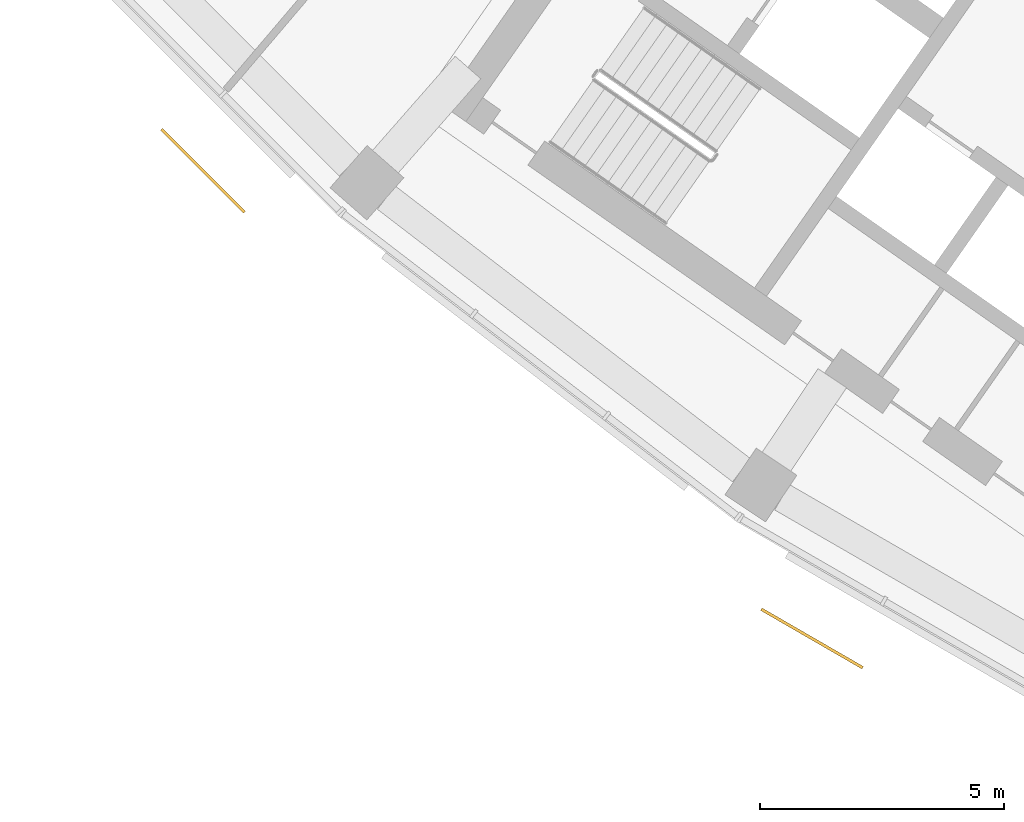
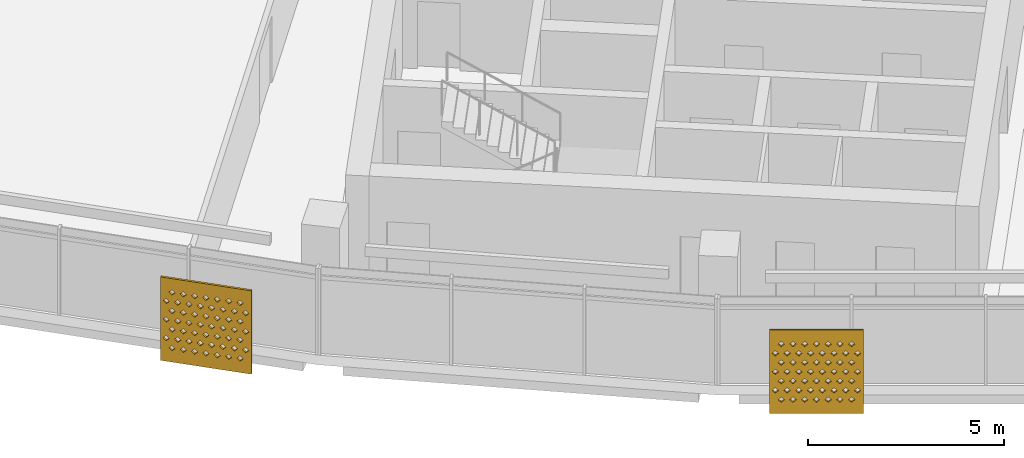
# One storey, part 23 of 28: 2 shading devices.
"""IFC4 building model written with IfcOpenShell, lengths in metres."""

from ifc_helpers import new_model, si_unit, direction, frame, origin, place, context, subcontext, project, spatial, polyline, outline, extrude, material, material_profile, profile_set, type_object, element, save


model = new_model("IFC4")

# Units and contexts
model_context = context("Model", 3, precision=1e-05, world=origin(), true_north=direction((0.0, 1.0)))
body_context = subcontext(model_context, "Body", "Model", "MODEL_VIEW")
ifc_project = project(units=[si_unit("LENGTHUNIT", "METRE"), si_unit("AREAUNIT", "SQUARE_METRE"), si_unit("VOLUMEUNIT", "CUBIC_METRE"), si_unit("PLANEANGLEUNIT", "RADIAN"), si_unit("MASSUNIT", "GRAM", prefix="KILO")], contexts=[model_context])

# Site, building, storey
site_placement = place(None, origin())
site = spatial("IfcSite", under=ifc_project, at=site_placement, CompositionType="ELEMENT")
building_placement = place(site_placement, origin())
building = spatial("IfcBuilding", under=site, at=building_placement, Name="Qamariyya Broadcast Tower", CompositionType="ELEMENT")
storey_placement = place(building_placement, frame((0.0, 0.0, 215.10009765625)))
storey = spatial("IfcBuildingStorey", under=building, at=storey_placement, Name="L51", CompositionType="ELEMENT", Elevation=215.10009765625)

# Shading devices
ifc_material = material(Name="Perforated glazed terracotta", Category="masonry")
ifc_material_profile = material_profile(ifc_material, outline(polyline([(-1.199951171875, -1.300048828125), (1.199951171875, -1.300048828125), (1.199951171875, 1.300048828125), (-1.199951171875, 1.300048828125), (-1.199951171875, -1.300048828125)]), holes=[polyline([(-0.81494140625, -0.86669921875), (-0.89990234375, -0.78173828125), (-0.985107421875, -0.86669921875), (-0.89990234375, -0.95166015625), (-0.81494140625, -0.86669921875)]), polyline([(-0.514892578125, -0.86669921875), (-0.60009765625, -0.78173828125), (-0.68505859375, -0.86669921875), (-0.60009765625, -0.95166015625), (-0.514892578125, -0.86669921875)]), polyline([(-0.215087890625, -0.86669921875), (-0.300048828125, -0.78173828125), (-0.385009765625, -0.86669921875), (-0.300048828125, -0.95166015625), (-0.215087890625, -0.86669921875)]), polyline([(0.0849609375, -0.86669921875), (0.0, -0.78173828125), (-0.0849609375, -0.86669921875), (0.0, -0.95166015625), (0.0849609375, -0.86669921875)]), polyline([(0.385009765625, -0.86669921875), (0.300048828125, -0.78173828125), (0.215087890625, -0.86669921875), (0.300048828125, -0.95166015625), (0.385009765625, -0.86669921875)]), polyline([(0.68505859375, -0.86669921875), (0.60009765625, -0.78173828125), (0.514892578125, -0.86669921875), (0.60009765625, -0.95166015625), (0.68505859375, -0.86669921875)]), polyline([(0.985107421875, -0.86669921875), (0.89990234375, -0.78173828125), (0.81494140625, -0.86669921875), (0.89990234375, -0.95166015625), (0.985107421875, -0.86669921875)]), polyline([(-0.965087890625, -0.577880859375), (-1.050048828125, -0.49267578125), (-1.135009765625, -0.577880859375), (-1.050048828125, -0.662841796875), (-0.965087890625, -0.577880859375)]), polyline([(-0.6650390625, -0.577880859375), (-0.75, -0.49267578125), (-0.8349609375, -0.577880859375), (-0.75, -0.662841796875), (-0.6650390625, -0.577880859375)]), polyline([(-0.364990234375, -0.577880859375), (-0.449951171875, -0.49267578125), (-0.534912109375, -0.577880859375), (-0.449951171875, -0.662841796875), (-0.364990234375, -0.577880859375)]), polyline([(-0.06494140625, -0.577880859375), (-0.14990234375, -0.49267578125), (-0.235107421875, -0.577880859375), (-0.14990234375, -0.662841796875), (-0.06494140625, -0.577880859375)]), polyline([(0.235107421875, -0.577880859375), (0.14990234375, -0.49267578125), (0.06494140625, -0.577880859375), (0.14990234375, -0.662841796875), (0.235107421875, -0.577880859375)]), polyline([(0.534912109375, -0.577880859375), (0.449951171875, -0.49267578125), (0.364990234375, -0.577880859375), (0.449951171875, -0.662841796875), (0.534912109375, -0.577880859375)]), polyline([(0.8349609375, -0.577880859375), (0.75, -0.49267578125), (0.6650390625, -0.577880859375), (0.75, -0.662841796875), (0.8349609375, -0.577880859375)]), polyline([(1.135009765625, -0.577880859375), (1.050048828125, -0.49267578125), (0.965087890625, -0.577880859375), (1.050048828125, -0.662841796875), (1.135009765625, -0.577880859375)]), polyline([(-0.81494140625, -0.288818359375), (-0.89990234375, -0.203857421875), (-0.985107421875, -0.288818359375), (-0.89990234375, -0.373779296875), (-0.81494140625, -0.288818359375)]), polyline([(-0.514892578125, -0.288818359375), (-0.60009765625, -0.203857421875), (-0.68505859375, -0.288818359375), (-0.60009765625, -0.373779296875), (-0.514892578125, -0.288818359375)]), polyline([(-0.215087890625, -0.288818359375), (-0.300048828125, -0.203857421875), (-0.385009765625, -0.288818359375), (-0.300048828125, -0.373779296875), (-0.215087890625, -0.288818359375)]), polyline([(0.0849609375, -0.288818359375), (0.0, -0.203857421875), (-0.0849609375, -0.288818359375), (0.0, -0.373779296875), (0.0849609375, -0.288818359375)]), polyline([(0.385009765625, -0.288818359375), (0.300048828125, -0.203857421875), (0.215087890625, -0.288818359375), (0.300048828125, -0.373779296875), (0.385009765625, -0.288818359375)]), polyline([(0.68505859375, -0.288818359375), (0.60009765625, -0.203857421875), (0.514892578125, -0.288818359375), (0.60009765625, -0.373779296875), (0.68505859375, -0.288818359375)]), polyline([(0.985107421875, -0.288818359375), (0.89990234375, -0.203857421875), (0.81494140625, -0.288818359375), (0.89990234375, -0.373779296875), (0.985107421875, -0.288818359375)]), polyline([(-0.965087890625, 0.0), (-1.050048828125, 0.0849609375), (-1.135009765625, 0.0), (-1.050048828125, -0.0849609375), (-0.965087890625, 0.0)]), polyline([(-0.6650390625, 0.0), (-0.75, 0.0849609375), (-0.8349609375, 0.0), (-0.75, -0.0849609375), (-0.6650390625, 0.0)]), polyline([(-0.364990234375, 0.0), (-0.449951171875, 0.0849609375), (-0.534912109375, 0.0), (-0.449951171875, -0.0849609375), (-0.364990234375, 0.0)]), polyline([(-0.06494140625, 0.0), (-0.14990234375, 0.0849609375), (-0.235107421875, 0.0), (-0.14990234375, -0.0849609375), (-0.06494140625, 0.0)]), polyline([(0.235107421875, 0.0), (0.14990234375, 0.0849609375), (0.06494140625, 0.0), (0.14990234375, -0.0849609375), (0.235107421875, 0.0)]), polyline([(0.534912109375, 0.0), (0.449951171875, 0.0849609375), (0.364990234375, 0.0), (0.449951171875, -0.0849609375), (0.534912109375, 0.0)]), polyline([(0.8349609375, 0.0), (0.75, 0.0849609375), (0.6650390625, 0.0), (0.75, -0.0849609375), (0.8349609375, 0.0)]), polyline([(1.135009765625, 0.0), (1.050048828125, 0.0849609375), (0.965087890625, 0.0), (1.050048828125, -0.0849609375), (1.135009765625, 0.0)]), polyline([(-0.81494140625, 0.288818359375), (-0.89990234375, 0.373779296875), (-0.985107421875, 0.288818359375), (-0.89990234375, 0.203857421875), (-0.81494140625, 0.288818359375)]), polyline([(-0.514892578125, 0.288818359375), (-0.60009765625, 0.373779296875), (-0.68505859375, 0.288818359375), (-0.60009765625, 0.203857421875), (-0.514892578125, 0.288818359375)]), polyline([(-0.215087890625, 0.288818359375), (-0.300048828125, 0.373779296875), (-0.385009765625, 0.288818359375), (-0.300048828125, 0.203857421875), (-0.215087890625, 0.288818359375)]), polyline([(0.0849609375, 0.288818359375), (0.0, 0.373779296875), (-0.0849609375, 0.288818359375), (0.0, 0.203857421875), (0.0849609375, 0.288818359375)]), polyline([(0.385009765625, 0.288818359375), (0.300048828125, 0.373779296875), (0.215087890625, 0.288818359375), (0.300048828125, 0.203857421875), (0.385009765625, 0.288818359375)]), polyline([(0.68505859375, 0.288818359375), (0.60009765625, 0.373779296875), (0.514892578125, 0.288818359375), (0.60009765625, 0.203857421875), (0.68505859375, 0.288818359375)]), polyline([(0.985107421875, 0.288818359375), (0.89990234375, 0.373779296875), (0.81494140625, 0.288818359375), (0.89990234375, 0.203857421875), (0.985107421875, 0.288818359375)]), polyline([(-0.965087890625, 0.577880859375), (-1.050048828125, 0.662841796875), (-1.135009765625, 0.577880859375), (-1.050048828125, 0.49267578125), (-0.965087890625, 0.577880859375)]), polyline([(-0.6650390625, 0.577880859375), (-0.75, 0.662841796875), (-0.8349609375, 0.577880859375), (-0.75, 0.49267578125), (-0.6650390625, 0.577880859375)]), polyline([(-0.364990234375, 0.577880859375), (-0.449951171875, 0.662841796875), (-0.534912109375, 0.577880859375), (-0.449951171875, 0.49267578125), (-0.364990234375, 0.577880859375)]), polyline([(-0.06494140625, 0.577880859375), (-0.14990234375, 0.662841796875), (-0.235107421875, 0.577880859375), (-0.14990234375, 0.49267578125), (-0.06494140625, 0.577880859375)]), polyline([(0.235107421875, 0.577880859375), (0.14990234375, 0.662841796875), (0.06494140625, 0.577880859375), (0.14990234375, 0.49267578125), (0.235107421875, 0.577880859375)]), polyline([(0.534912109375, 0.577880859375), (0.449951171875, 0.662841796875), (0.364990234375, 0.577880859375), (0.449951171875, 0.49267578125), (0.534912109375, 0.577880859375)]), polyline([(0.8349609375, 0.577880859375), (0.75, 0.662841796875), (0.6650390625, 0.577880859375), (0.75, 0.49267578125), (0.8349609375, 0.577880859375)]), polyline([(1.135009765625, 0.577880859375), (1.050048828125, 0.662841796875), (0.965087890625, 0.577880859375), (1.050048828125, 0.49267578125), (1.135009765625, 0.577880859375)]), polyline([(-0.81494140625, 0.86669921875), (-0.89990234375, 0.95166015625), (-0.985107421875, 0.86669921875), (-0.89990234375, 0.78173828125), (-0.81494140625, 0.86669921875)]), polyline([(-0.514892578125, 0.86669921875), (-0.60009765625, 0.95166015625), (-0.68505859375, 0.86669921875), (-0.60009765625, 0.78173828125), (-0.514892578125, 0.86669921875)]), polyline([(-0.215087890625, 0.86669921875), (-0.300048828125, 0.95166015625), (-0.385009765625, 0.86669921875), (-0.300048828125, 0.78173828125), (-0.215087890625, 0.86669921875)]), polyline([(0.0849609375, 0.86669921875), (0.0, 0.95166015625), (-0.0849609375, 0.86669921875), (0.0, 0.78173828125), (0.0849609375, 0.86669921875)]), polyline([(0.385009765625, 0.86669921875), (0.300048828125, 0.95166015625), (0.215087890625, 0.86669921875), (0.300048828125, 0.78173828125), (0.385009765625, 0.86669921875)]), polyline([(0.68505859375, 0.86669921875), (0.60009765625, 0.95166015625), (0.514892578125, 0.86669921875), (0.60009765625, 0.78173828125), (0.68505859375, 0.86669921875)]), polyline([(0.985107421875, 0.86669921875), (0.89990234375, 0.95166015625), (0.81494140625, 0.86669921875), (0.89990234375, 0.78173828125), (0.985107421875, 0.86669921875)])]))
ifc_profile_set = profile_set([ifc_material_profile], Name="Perforated glazed terracotta")
shading_device_type = type_object("IfcShadingDeviceType", Name="Perforated terracotta screen 2400 x 2600", PredefinedType="USERDEFINED", material=ifc_profile_set)
shading_device_1_placement = place(storey_placement, frame((-54.599609375, -58.18603515625, 1.349853515625), z_axis=(-0.707106781187, -0.707106781187, 0.0), x_axis=(0.707106781187, -0.707106781187, 0.0)))
element("IfcShadingDevice", 1, at=shading_device_1_placement, inside=storey, type_object=shading_device_type, Name="e-scr-L51-02-2", ObjectType="SCREEN", PredefinedType="USERDEFINED", context=body_context, shape_type="SweptSolid", body=[
    extrude(outline(polyline([(-1.199951171875, -1.300048828125), (1.199951171875, -1.300048828125), (1.199951171875, 1.300048828125), (-1.199951171875, 1.300048828125), (-1.199951171875, -1.300048828125)]), holes=[polyline([(-0.81494140625, -0.86669921875), (-0.89990234375, -0.78173828125), (-0.985107421875, -0.86669921875), (-0.89990234375, -0.95166015625), (-0.81494140625, -0.86669921875)]), polyline([(-0.514892578125, -0.86669921875), (-0.60009765625, -0.78173828125), (-0.68505859375, -0.86669921875), (-0.60009765625, -0.95166015625), (-0.514892578125, -0.86669921875)]), polyline([(-0.215087890625, -0.86669921875), (-0.300048828125, -0.78173828125), (-0.385009765625, -0.86669921875), (-0.300048828125, -0.95166015625), (-0.215087890625, -0.86669921875)]), polyline([(0.0849609375, -0.86669921875), (0.0, -0.78173828125), (-0.0849609375, -0.86669921875), (0.0, -0.95166015625), (0.0849609375, -0.86669921875)]), polyline([(0.385009765625, -0.86669921875), (0.300048828125, -0.78173828125), (0.215087890625, -0.86669921875), (0.300048828125, -0.95166015625), (0.385009765625, -0.86669921875)]), polyline([(0.68505859375, -0.86669921875), (0.60009765625, -0.78173828125), (0.514892578125, -0.86669921875), (0.60009765625, -0.95166015625), (0.68505859375, -0.86669921875)]), polyline([(0.985107421875, -0.86669921875), (0.89990234375, -0.78173828125), (0.81494140625, -0.86669921875), (0.89990234375, -0.95166015625), (0.985107421875, -0.86669921875)]), polyline([(-0.965087890625, -0.577880859375), (-1.050048828125, -0.49267578125), (-1.135009765625, -0.577880859375), (-1.050048828125, -0.662841796875), (-0.965087890625, -0.577880859375)]), polyline([(-0.6650390625, -0.577880859375), (-0.75, -0.49267578125), (-0.8349609375, -0.577880859375), (-0.75, -0.662841796875), (-0.6650390625, -0.577880859375)]), polyline([(-0.364990234375, -0.577880859375), (-0.449951171875, -0.49267578125), (-0.534912109375, -0.577880859375), (-0.449951171875, -0.662841796875), (-0.364990234375, -0.577880859375)]), polyline([(-0.06494140625, -0.577880859375), (-0.14990234375, -0.49267578125), (-0.235107421875, -0.577880859375), (-0.14990234375, -0.662841796875), (-0.06494140625, -0.577880859375)]), polyline([(0.235107421875, -0.577880859375), (0.14990234375, -0.49267578125), (0.06494140625, -0.577880859375), (0.14990234375, -0.662841796875), (0.235107421875, -0.577880859375)]), polyline([(0.534912109375, -0.577880859375), (0.449951171875, -0.49267578125), (0.364990234375, -0.577880859375), (0.449951171875, -0.662841796875), (0.534912109375, -0.577880859375)]), polyline([(0.8349609375, -0.577880859375), (0.75, -0.49267578125), (0.6650390625, -0.577880859375), (0.75, -0.662841796875), (0.8349609375, -0.577880859375)]), polyline([(1.135009765625, -0.577880859375), (1.050048828125, -0.49267578125), (0.965087890625, -0.577880859375), (1.050048828125, -0.662841796875), (1.135009765625, -0.577880859375)]), polyline([(-0.81494140625, -0.288818359375), (-0.89990234375, -0.203857421875), (-0.985107421875, -0.288818359375), (-0.89990234375, -0.373779296875), (-0.81494140625, -0.288818359375)]), polyline([(-0.514892578125, -0.288818359375), (-0.60009765625, -0.203857421875), (-0.68505859375, -0.288818359375), (-0.60009765625, -0.373779296875), (-0.514892578125, -0.288818359375)]), polyline([(-0.215087890625, -0.288818359375), (-0.300048828125, -0.203857421875), (-0.385009765625, -0.288818359375), (-0.300048828125, -0.373779296875), (-0.215087890625, -0.288818359375)]), polyline([(0.0849609375, -0.288818359375), (0.0, -0.203857421875), (-0.0849609375, -0.288818359375), (0.0, -0.373779296875), (0.0849609375, -0.288818359375)]), polyline([(0.385009765625, -0.288818359375), (0.300048828125, -0.203857421875), (0.215087890625, -0.288818359375), (0.300048828125, -0.373779296875), (0.385009765625, -0.288818359375)]), polyline([(0.68505859375, -0.288818359375), (0.60009765625, -0.203857421875), (0.514892578125, -0.288818359375), (0.60009765625, -0.373779296875), (0.68505859375, -0.288818359375)]), polyline([(0.985107421875, -0.288818359375), (0.89990234375, -0.203857421875), (0.81494140625, -0.288818359375), (0.89990234375, -0.373779296875), (0.985107421875, -0.288818359375)]), polyline([(-0.965087890625, 0.0), (-1.050048828125, 0.0849609375), (-1.135009765625, 0.0), (-1.050048828125, -0.0849609375), (-0.965087890625, 0.0)]), polyline([(-0.6650390625, 0.0), (-0.75, 0.0849609375), (-0.8349609375, 0.0), (-0.75, -0.0849609375), (-0.6650390625, 0.0)]), polyline([(-0.364990234375, 0.0), (-0.449951171875, 0.0849609375), (-0.534912109375, 0.0), (-0.449951171875, -0.0849609375), (-0.364990234375, 0.0)]), polyline([(-0.06494140625, 0.0), (-0.14990234375, 0.0849609375), (-0.235107421875, 0.0), (-0.14990234375, -0.0849609375), (-0.06494140625, 0.0)]), polyline([(0.235107421875, 0.0), (0.14990234375, 0.0849609375), (0.06494140625, 0.0), (0.14990234375, -0.0849609375), (0.235107421875, 0.0)]), polyline([(0.534912109375, 0.0), (0.449951171875, 0.0849609375), (0.364990234375, 0.0), (0.449951171875, -0.0849609375), (0.534912109375, 0.0)]), polyline([(0.8349609375, 0.0), (0.75, 0.0849609375), (0.6650390625, 0.0), (0.75, -0.0849609375), (0.8349609375, 0.0)]), polyline([(1.135009765625, 0.0), (1.050048828125, 0.0849609375), (0.965087890625, 0.0), (1.050048828125, -0.0849609375), (1.135009765625, 0.0)]), polyline([(-0.81494140625, 0.288818359375), (-0.89990234375, 0.373779296875), (-0.985107421875, 0.288818359375), (-0.89990234375, 0.203857421875), (-0.81494140625, 0.288818359375)]), polyline([(-0.514892578125, 0.288818359375), (-0.60009765625, 0.373779296875), (-0.68505859375, 0.288818359375), (-0.60009765625, 0.203857421875), (-0.514892578125, 0.288818359375)]), polyline([(-0.215087890625, 0.288818359375), (-0.300048828125, 0.373779296875), (-0.385009765625, 0.288818359375), (-0.300048828125, 0.203857421875), (-0.215087890625, 0.288818359375)]), polyline([(0.0849609375, 0.288818359375), (0.0, 0.373779296875), (-0.0849609375, 0.288818359375), (0.0, 0.203857421875), (0.0849609375, 0.288818359375)]), polyline([(0.385009765625, 0.288818359375), (0.300048828125, 0.373779296875), (0.215087890625, 0.288818359375), (0.300048828125, 0.203857421875), (0.385009765625, 0.288818359375)]), polyline([(0.68505859375, 0.288818359375), (0.60009765625, 0.373779296875), (0.514892578125, 0.288818359375), (0.60009765625, 0.203857421875), (0.68505859375, 0.288818359375)]), polyline([(0.985107421875, 0.288818359375), (0.89990234375, 0.373779296875), (0.81494140625, 0.288818359375), (0.89990234375, 0.203857421875), (0.985107421875, 0.288818359375)]), polyline([(-0.965087890625, 0.577880859375), (-1.050048828125, 0.662841796875), (-1.135009765625, 0.577880859375), (-1.050048828125, 0.49267578125), (-0.965087890625, 0.577880859375)]), polyline([(-0.6650390625, 0.577880859375), (-0.75, 0.662841796875), (-0.8349609375, 0.577880859375), (-0.75, 0.49267578125), (-0.6650390625, 0.577880859375)]), polyline([(-0.364990234375, 0.577880859375), (-0.449951171875, 0.662841796875), (-0.534912109375, 0.577880859375), (-0.449951171875, 0.49267578125), (-0.364990234375, 0.577880859375)]), polyline([(-0.06494140625, 0.577880859375), (-0.14990234375, 0.662841796875), (-0.235107421875, 0.577880859375), (-0.14990234375, 0.49267578125), (-0.06494140625, 0.577880859375)]), polyline([(0.235107421875, 0.577880859375), (0.14990234375, 0.662841796875), (0.06494140625, 0.577880859375), (0.14990234375, 0.49267578125), (0.235107421875, 0.577880859375)]), polyline([(0.534912109375, 0.577880859375), (0.449951171875, 0.662841796875), (0.364990234375, 0.577880859375), (0.449951171875, 0.49267578125), (0.534912109375, 0.577880859375)]), polyline([(0.8349609375, 0.577880859375), (0.75, 0.662841796875), (0.6650390625, 0.577880859375), (0.75, 0.49267578125), (0.8349609375, 0.577880859375)]), polyline([(1.135009765625, 0.577880859375), (1.050048828125, 0.662841796875), (0.965087890625, 0.577880859375), (1.050048828125, 0.49267578125), (1.135009765625, 0.577880859375)]), polyline([(-0.81494140625, 0.86669921875), (-0.89990234375, 0.95166015625), (-0.985107421875, 0.86669921875), (-0.89990234375, 0.78173828125), (-0.81494140625, 0.86669921875)]), polyline([(-0.514892578125, 0.86669921875), (-0.60009765625, 0.95166015625), (-0.68505859375, 0.86669921875), (-0.60009765625, 0.78173828125), (-0.514892578125, 0.86669921875)]), polyline([(-0.215087890625, 0.86669921875), (-0.300048828125, 0.95166015625), (-0.385009765625, 0.86669921875), (-0.300048828125, 0.78173828125), (-0.215087890625, 0.86669921875)]), polyline([(0.0849609375, 0.86669921875), (0.0, 0.95166015625), (-0.0849609375, 0.86669921875), (0.0, 0.78173828125), (0.0849609375, 0.86669921875)]), polyline([(0.385009765625, 0.86669921875), (0.300048828125, 0.95166015625), (0.215087890625, 0.86669921875), (0.300048828125, 0.78173828125), (0.385009765625, 0.86669921875)]), polyline([(0.68505859375, 0.86669921875), (0.60009765625, 0.95166015625), (0.514892578125, 0.86669921875), (0.60009765625, 0.78173828125), (0.68505859375, 0.86669921875)]), polyline([(0.985107421875, 0.86669921875), (0.89990234375, 0.95166015625), (0.81494140625, 0.86669921875), (0.89990234375, 0.78173828125), (0.985107421875, 0.86669921875)])]), origin(), (0.0, 0.0, 1.0), 0.06005859375),
])
shading_device_2_placement = place(storey_placement, frame((-42.13427734375, -67.762939453125, 1.349853515625), z_axis=(-0.500074377092, -0.865982457891, 0.0), x_axis=(0.865982457891, -0.500074377092, 0.0)))
element("IfcShadingDevice", 2, at=shading_device_2_placement, inside=storey, type_object=shading_device_type, Name="e-scr-L51-04-0", ObjectType="SCREEN", PredefinedType="USERDEFINED", context=body_context, shape_type="SweptSolid", body=[
    extrude(outline(polyline([(-1.199951171875, -1.300048828125), (1.199951171875, -1.300048828125), (1.199951171875, 1.300048828125), (-1.199951171875, 1.300048828125), (-1.199951171875, -1.300048828125)]), holes=[polyline([(-0.81494140625, -0.86669921875), (-0.89990234375, -0.78173828125), (-0.985107421875, -0.86669921875), (-0.89990234375, -0.95166015625), (-0.81494140625, -0.86669921875)]), polyline([(-0.514892578125, -0.86669921875), (-0.60009765625, -0.78173828125), (-0.68505859375, -0.86669921875), (-0.60009765625, -0.95166015625), (-0.514892578125, -0.86669921875)]), polyline([(-0.215087890625, -0.86669921875), (-0.300048828125, -0.78173828125), (-0.385009765625, -0.86669921875), (-0.300048828125, -0.95166015625), (-0.215087890625, -0.86669921875)]), polyline([(0.0849609375, -0.86669921875), (0.0, -0.78173828125), (-0.0849609375, -0.86669921875), (0.0, -0.95166015625), (0.0849609375, -0.86669921875)]), polyline([(0.385009765625, -0.86669921875), (0.300048828125, -0.78173828125), (0.215087890625, -0.86669921875), (0.300048828125, -0.95166015625), (0.385009765625, -0.86669921875)]), polyline([(0.68505859375, -0.86669921875), (0.60009765625, -0.78173828125), (0.514892578125, -0.86669921875), (0.60009765625, -0.95166015625), (0.68505859375, -0.86669921875)]), polyline([(0.985107421875, -0.86669921875), (0.89990234375, -0.78173828125), (0.81494140625, -0.86669921875), (0.89990234375, -0.95166015625), (0.985107421875, -0.86669921875)]), polyline([(-0.965087890625, -0.577880859375), (-1.050048828125, -0.49267578125), (-1.135009765625, -0.577880859375), (-1.050048828125, -0.662841796875), (-0.965087890625, -0.577880859375)]), polyline([(-0.6650390625, -0.577880859375), (-0.75, -0.49267578125), (-0.8349609375, -0.577880859375), (-0.75, -0.662841796875), (-0.6650390625, -0.577880859375)]), polyline([(-0.364990234375, -0.577880859375), (-0.449951171875, -0.49267578125), (-0.534912109375, -0.577880859375), (-0.449951171875, -0.662841796875), (-0.364990234375, -0.577880859375)]), polyline([(-0.06494140625, -0.577880859375), (-0.14990234375, -0.49267578125), (-0.235107421875, -0.577880859375), (-0.14990234375, -0.662841796875), (-0.06494140625, -0.577880859375)]), polyline([(0.235107421875, -0.577880859375), (0.14990234375, -0.49267578125), (0.06494140625, -0.577880859375), (0.14990234375, -0.662841796875), (0.235107421875, -0.577880859375)]), polyline([(0.534912109375, -0.577880859375), (0.449951171875, -0.49267578125), (0.364990234375, -0.577880859375), (0.449951171875, -0.662841796875), (0.534912109375, -0.577880859375)]), polyline([(0.8349609375, -0.577880859375), (0.75, -0.49267578125), (0.6650390625, -0.577880859375), (0.75, -0.662841796875), (0.8349609375, -0.577880859375)]), polyline([(1.135009765625, -0.577880859375), (1.050048828125, -0.49267578125), (0.965087890625, -0.577880859375), (1.050048828125, -0.662841796875), (1.135009765625, -0.577880859375)]), polyline([(-0.81494140625, -0.288818359375), (-0.89990234375, -0.203857421875), (-0.985107421875, -0.288818359375), (-0.89990234375, -0.373779296875), (-0.81494140625, -0.288818359375)]), polyline([(-0.514892578125, -0.288818359375), (-0.60009765625, -0.203857421875), (-0.68505859375, -0.288818359375), (-0.60009765625, -0.373779296875), (-0.514892578125, -0.288818359375)]), polyline([(-0.215087890625, -0.288818359375), (-0.300048828125, -0.203857421875), (-0.385009765625, -0.288818359375), (-0.300048828125, -0.373779296875), (-0.215087890625, -0.288818359375)]), polyline([(0.0849609375, -0.288818359375), (0.0, -0.203857421875), (-0.0849609375, -0.288818359375), (0.0, -0.373779296875), (0.0849609375, -0.288818359375)]), polyline([(0.385009765625, -0.288818359375), (0.300048828125, -0.203857421875), (0.215087890625, -0.288818359375), (0.300048828125, -0.373779296875), (0.385009765625, -0.288818359375)]), polyline([(0.68505859375, -0.288818359375), (0.60009765625, -0.203857421875), (0.514892578125, -0.288818359375), (0.60009765625, -0.373779296875), (0.68505859375, -0.288818359375)]), polyline([(0.985107421875, -0.288818359375), (0.89990234375, -0.203857421875), (0.81494140625, -0.288818359375), (0.89990234375, -0.373779296875), (0.985107421875, -0.288818359375)]), polyline([(-0.965087890625, 0.0), (-1.050048828125, 0.0849609375), (-1.135009765625, 0.0), (-1.050048828125, -0.0849609375), (-0.965087890625, 0.0)]), polyline([(-0.6650390625, 0.0), (-0.75, 0.0849609375), (-0.8349609375, 0.0), (-0.75, -0.0849609375), (-0.6650390625, 0.0)]), polyline([(-0.364990234375, 0.0), (-0.449951171875, 0.0849609375), (-0.534912109375, 0.0), (-0.449951171875, -0.0849609375), (-0.364990234375, 0.0)]), polyline([(-0.06494140625, 0.0), (-0.14990234375, 0.0849609375), (-0.235107421875, 0.0), (-0.14990234375, -0.0849609375), (-0.06494140625, 0.0)]), polyline([(0.235107421875, 0.0), (0.14990234375, 0.0849609375), (0.06494140625, 0.0), (0.14990234375, -0.0849609375), (0.235107421875, 0.0)]), polyline([(0.534912109375, 0.0), (0.449951171875, 0.0849609375), (0.364990234375, 0.0), (0.449951171875, -0.0849609375), (0.534912109375, 0.0)]), polyline([(0.8349609375, 0.0), (0.75, 0.0849609375), (0.6650390625, 0.0), (0.75, -0.0849609375), (0.8349609375, 0.0)]), polyline([(1.135009765625, 0.0), (1.050048828125, 0.0849609375), (0.965087890625, 0.0), (1.050048828125, -0.0849609375), (1.135009765625, 0.0)]), polyline([(-0.81494140625, 0.288818359375), (-0.89990234375, 0.373779296875), (-0.985107421875, 0.288818359375), (-0.89990234375, 0.203857421875), (-0.81494140625, 0.288818359375)]), polyline([(-0.514892578125, 0.288818359375), (-0.60009765625, 0.373779296875), (-0.68505859375, 0.288818359375), (-0.60009765625, 0.203857421875), (-0.514892578125, 0.288818359375)]), polyline([(-0.215087890625, 0.288818359375), (-0.300048828125, 0.373779296875), (-0.385009765625, 0.288818359375), (-0.300048828125, 0.203857421875), (-0.215087890625, 0.288818359375)]), polyline([(0.0849609375, 0.288818359375), (0.0, 0.373779296875), (-0.0849609375, 0.288818359375), (0.0, 0.203857421875), (0.0849609375, 0.288818359375)]), polyline([(0.385009765625, 0.288818359375), (0.300048828125, 0.373779296875), (0.215087890625, 0.288818359375), (0.300048828125, 0.203857421875), (0.385009765625, 0.288818359375)]), polyline([(0.68505859375, 0.288818359375), (0.60009765625, 0.373779296875), (0.514892578125, 0.288818359375), (0.60009765625, 0.203857421875), (0.68505859375, 0.288818359375)]), polyline([(0.985107421875, 0.288818359375), (0.89990234375, 0.373779296875), (0.81494140625, 0.288818359375), (0.89990234375, 0.203857421875), (0.985107421875, 0.288818359375)]), polyline([(-0.965087890625, 0.577880859375), (-1.050048828125, 0.662841796875), (-1.135009765625, 0.577880859375), (-1.050048828125, 0.49267578125), (-0.965087890625, 0.577880859375)]), polyline([(-0.6650390625, 0.577880859375), (-0.75, 0.662841796875), (-0.8349609375, 0.577880859375), (-0.75, 0.49267578125), (-0.6650390625, 0.577880859375)]), polyline([(-0.364990234375, 0.577880859375), (-0.449951171875, 0.662841796875), (-0.534912109375, 0.577880859375), (-0.449951171875, 0.49267578125), (-0.364990234375, 0.577880859375)]), polyline([(-0.06494140625, 0.577880859375), (-0.14990234375, 0.662841796875), (-0.235107421875, 0.577880859375), (-0.14990234375, 0.49267578125), (-0.06494140625, 0.577880859375)]), polyline([(0.235107421875, 0.577880859375), (0.14990234375, 0.662841796875), (0.06494140625, 0.577880859375), (0.14990234375, 0.49267578125), (0.235107421875, 0.577880859375)]), polyline([(0.534912109375, 0.577880859375), (0.449951171875, 0.662841796875), (0.364990234375, 0.577880859375), (0.449951171875, 0.49267578125), (0.534912109375, 0.577880859375)]), polyline([(0.8349609375, 0.577880859375), (0.75, 0.662841796875), (0.6650390625, 0.577880859375), (0.75, 0.49267578125), (0.8349609375, 0.577880859375)]), polyline([(1.135009765625, 0.577880859375), (1.050048828125, 0.662841796875), (0.965087890625, 0.577880859375), (1.050048828125, 0.49267578125), (1.135009765625, 0.577880859375)]), polyline([(-0.81494140625, 0.86669921875), (-0.89990234375, 0.95166015625), (-0.985107421875, 0.86669921875), (-0.89990234375, 0.78173828125), (-0.81494140625, 0.86669921875)]), polyline([(-0.514892578125, 0.86669921875), (-0.60009765625, 0.95166015625), (-0.68505859375, 0.86669921875), (-0.60009765625, 0.78173828125), (-0.514892578125, 0.86669921875)]), polyline([(-0.215087890625, 0.86669921875), (-0.300048828125, 0.95166015625), (-0.385009765625, 0.86669921875), (-0.300048828125, 0.78173828125), (-0.215087890625, 0.86669921875)]), polyline([(0.0849609375, 0.86669921875), (0.0, 0.95166015625), (-0.0849609375, 0.86669921875), (0.0, 0.78173828125), (0.0849609375, 0.86669921875)]), polyline([(0.385009765625, 0.86669921875), (0.300048828125, 0.95166015625), (0.215087890625, 0.86669921875), (0.300048828125, 0.78173828125), (0.385009765625, 0.86669921875)]), polyline([(0.68505859375, 0.86669921875), (0.60009765625, 0.95166015625), (0.514892578125, 0.86669921875), (0.60009765625, 0.78173828125), (0.68505859375, 0.86669921875)]), polyline([(0.985107421875, 0.86669921875), (0.89990234375, 0.95166015625), (0.81494140625, 0.86669921875), (0.89990234375, 0.78173828125), (0.985107421875, 0.86669921875)])]), origin(), (0.0, 0.0, 1.0), 0.06005859375),
])

save(model, "model.ifc")
